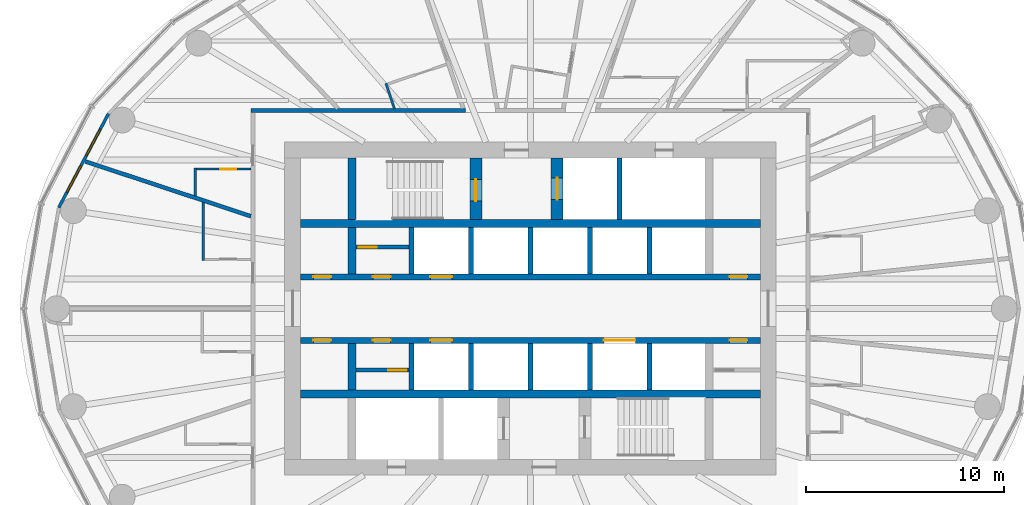
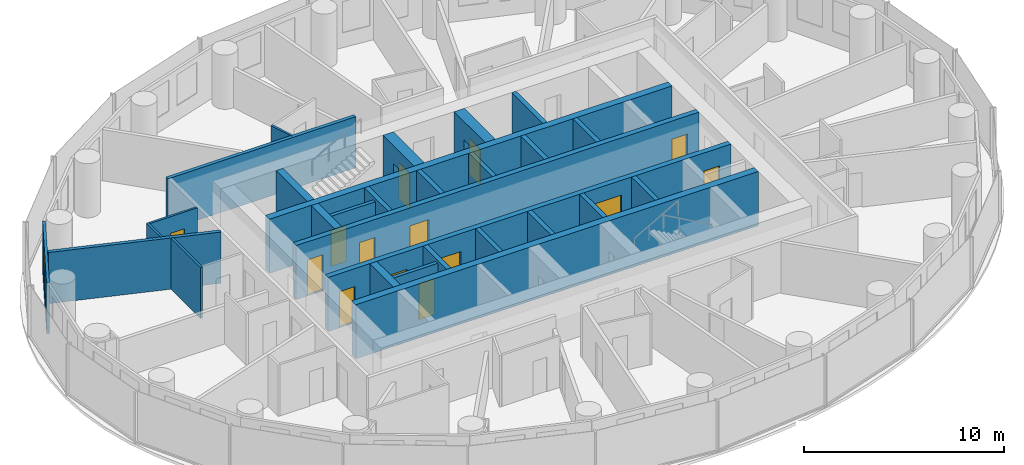
# One storey, part 8 of 13: 29 walls, 14 doors, 2 windows, 16 openings.
"""IFC4 building model written with IfcOpenShell, lengths in metres."""

from ifc_helpers import new_model, si_unit, direction, frame, frame_2d, origin, place, context, subcontext, project, spatial, rectangle, extrude, material, layer, layer_set, type_object, element, fill, save


model = new_model("IFC4")

# Units and contexts
model_context = context("Model", 3, precision=1e-05, world=origin(), true_north=direction((0.0, 1.0)))
body_context = subcontext(model_context, "Body", "Model", "MODEL_VIEW")
ifc_project = project(units=[si_unit("LENGTHUNIT", "METRE"), si_unit("AREAUNIT", "SQUARE_METRE"), si_unit("VOLUMEUNIT", "CUBIC_METRE"), si_unit("PLANEANGLEUNIT", "RADIAN"), si_unit("MASSUNIT", "GRAM", prefix="KILO")], contexts=[model_context])

# Site, building, storey
site_placement = place(None, origin())
site = spatial("IfcSite", under=ifc_project, at=site_placement, CompositionType="ELEMENT")
building_placement = place(site_placement, origin())
building = spatial("IfcBuilding", under=site, at=building_placement, Name="Hankou Lantern Tower", CompositionType="ELEMENT")
storey_placement = place(building_placement, frame((0.0, 0.0, 118.800048828125)))
storey = spatial("IfcBuildingStorey", under=building, at=storey_placement, Name="L30", CompositionType="ELEMENT", Elevation=118.800048828125)

# Walls
ifc_material_1 = material(Name="Concrete C60", Category="concrete")
ifc_layer_1 = layer(ifc_material_1, 0.39990234375)
ifc_layer_set_1 = layer_set([ifc_layer_1], Name="Concrete C60")
wall_type_1 = type_object("IfcWallType", Name="CW4 CORE CROSS WALL 400", PredefinedType="SHEAR", material=ifc_layer_set_1)
for number, where, z_axis, x_axis, name in (
    (1, (-11.60009765625, 4.300048828125, 0.0), (0.0, 0.0, 1.0), (1.0, 0.0, 0.0), "Core band wall north L30"),
    (2, (-11.60009765625, -4.300048828125, 0.0), (0.0, 0.0, 1.0), (1.0, 0.0, 0.0), "Core band wall south L30"),
):
    element("IfcWall", number, at=place(storey_placement, frame(where, z_axis=z_axis, x_axis=x_axis)), inside=storey, type_object=wall_type_1, Name=name, PredefinedType="SHEAR", context=body_context, shape_type="SweptSolid", body=[
        extrude(rectangle(XDim=23.2001953125, YDim=0.39990234375, at=frame_2d((11.60009765625, 0.0))), origin(), (0.0, 0.0, 1.0), 3.300048828125),
    ])
wall_1_placement = place(storey_placement, frame((-9.0, 4.5, 0.0), z_axis=(0.0, 0.0, 1.0), x_axis=(0.0, 1.0, 0.0)))
element("IfcWall", 3, at=wall_1_placement, inside=storey, type_object=wall_type_1, Name="Core strip wall L30", PredefinedType="SHEAR", context=body_context, shape_type="SweptSolid", body=[
    extrude(rectangle(XDim=3.10009765625, YDim=0.39990234375, at=frame_2d((1.550048828125, 0.0))), origin(), (0.0, 0.0, 1.0), 3.300048828125),
])
for number, where, z_axis, x_axis, name in (
    (4, (-9.0, 1.75, 0.0), (0.0, 0.0, 1.0), (0.0, 1.0, 0.0), "Core strip wall L30"),
    (5, (-9.0, -4.10009765625, 0.0), (0.0, 0.0, 1.0), (0.0, 1.0, 0.0), "Core strip wall L30"),
):
    element("IfcWall", number, at=place(storey_placement, frame(where, z_axis=z_axis, x_axis=x_axis)), inside=storey, type_object=wall_type_1, Name=name, PredefinedType="SHEAR", context=body_context, shape_type="SweptSolid", body=[
        extrude(rectangle(XDim=2.35009765625, YDim=0.39990234375, at=frame_2d((1.175048828125, 0.0))), origin(), (0.0, 0.0, 1.0), 3.300048828125),
    ])

# Wall, openings, doors
ifc_material_2 = material(Name="Concrete C60", Category="concrete")
ifc_layer_2 = layer(ifc_material_2, 0.300048828125)
ifc_layer_set_2 = layer_set([ifc_layer_2], Name="Concrete C60")
wall_type_2 = type_object("IfcWallType", Name="CW5 LIFT LOBBY WALL 300", PredefinedType="SHEAR", material=ifc_layer_set_2)
wall_2_placement = place(storey_placement, frame((-11.60009765625, 1.60009765625, 0.0), z_axis=(0.0, 0.0, 1.0), x_axis=(1.0, 0.0, 0.0)))
wall_2 = element("IfcWall", 6, at=wall_2_placement, inside=storey, type_object=wall_type_2, Name="Lift lobby wall north L30", PredefinedType="SHEAR", context=body_context, shape_type="SweptSolid", body=[
    extrude(rectangle(XDim=23.2001953125, YDim=0.300048828125, at=frame_2d((11.60009765625, 0.0))), origin(), (0.0, 0.0, 1.0), 3.300048828125),
])
opening_1_placement = place(wall_2_placement, frame((6.550048828125, 0.0, 0.0)))
opening_1 = element("IfcOpeningElement", 7, at=opening_1_placement, cuts=wall_2, Name="Opening LD1", PredefinedType="OPENING", context=body_context, shape_type="SweptSolid", body=[
    extrude(rectangle(XDim=1.10009765625, YDim=2.199951171875, at=frame_2d((0.550048828125, 1.10009765625))), frame((0.0, 0.159912109375, 0.0), z_axis=(0.0, -1.0, 0.0), x_axis=(1.0, 0.0, 0.0)), (0.0, 0.0, 1.0), 0.320068359375),
])
opening_2_placement = place(wall_2_placement, frame((0.64990234375, 0.0, 0.0)))
opening_2 = element("IfcOpeningElement", 8, at=opening_2_placement, cuts=wall_2, Name="Opening D30", PredefinedType="OPENING", context=body_context, shape_type="SweptSolid", body=[
    extrude(rectangle(XDim=0.89990234375, YDim=2.199951171875, at=frame_2d((0.449951171875, 1.10009765625))), frame((0.0, 0.159912109375, 0.0), z_axis=(0.0, -1.0, 0.0), x_axis=(1.0, 0.0, 0.0)), (0.0, 0.0, 1.0), 0.320068359375),
])
opening_3_placement = place(wall_2_placement, frame((3.64990234375, 0.0, 0.0)))
opening_3 = element("IfcOpeningElement", 9, at=opening_3_placement, cuts=wall_2, Name="Opening D30", PredefinedType="OPENING", context=body_context, shape_type="SweptSolid", body=[
    extrude(rectangle(XDim=0.89990234375, YDim=2.199951171875, at=frame_2d((0.449951171875, 1.10009765625))), frame((0.0, 0.159912109375, 0.0), z_axis=(0.0, -1.0, 0.0), x_axis=(1.0, 0.0, 0.0)), (0.0, 0.0, 1.0), 0.320068359375),
])
opening_4_placement = place(wall_2_placement, frame((21.64990234375, 0.0, 0.0)))
opening_4 = element("IfcOpeningElement", 10, at=opening_4_placement, cuts=wall_2, Name="Opening D30", PredefinedType="OPENING", context=body_context, shape_type="SweptSolid", body=[
    extrude(rectangle(XDim=0.89990234375, YDim=2.199951171875, at=frame_2d((0.449951171875, 1.10009765625))), frame((0.0, 0.159912109375, 0.0), z_axis=(0.0, -1.0, 0.0), x_axis=(1.0, 0.0, 0.0)), (0.0, 0.0, 1.0), 0.320068359375),
])
ifc_material_3 = material(Name="Steel door leaf", Category="steel")
door_type_1 = type_object("IfcDoorType", Name="D30 CORE ROOM DOOR 900X2200", OperationType="SINGLE_SWING_LEFT", PredefinedType="DOOR", material=ifc_material_3)
door_1_placement = place(opening_2_placement, origin())
door_1 = element("IfcDoor", 11, at=door_1_placement, inside=storey, type_object=door_type_1, Name="Engineering store door", OperationType="SINGLE_SWING_LEFT", OverallHeight=2.199951171875, OverallWidth=0.89990234375, PredefinedType="DOOR", context=body_context, shape_type="SweptSolid", body=[
    extrude(rectangle(XDim=0.89990234375, YDim=2.199951171875, at=frame_2d((0.449951171875, 1.10009765625))), frame((0.0, 0.02490234375, 0.0), z_axis=(0.0, -1.0, 0.0), x_axis=(1.0, 0.0, 0.0)), (0.0, 0.0, 1.0), 0.050048828125),
])
fill(opening_2, door_1)
door_2_placement = place(opening_3_placement, origin())
door_2 = element("IfcDoor", 12, at=door_2_placement, inside=storey, type_object=door_type_1, Name="Cleaner's store door", OperationType="SINGLE_SWING_LEFT", OverallHeight=2.199951171875, OverallWidth=0.89990234375, PredefinedType="DOOR", context=body_context, shape_type="SweptSolid", body=[
    extrude(rectangle(XDim=0.89990234375, YDim=2.199951171875, at=frame_2d((0.449951171875, 1.10009765625))), frame((0.0, 0.02490234375, 0.0), z_axis=(0.0, -1.0, 0.0), x_axis=(1.0, 0.0, 0.0)), (0.0, 0.0, 1.0), 0.050048828125),
])
fill(opening_3, door_2)
door_3_placement = place(opening_4_placement, origin())
door_3 = element("IfcDoor", 13, at=door_3_placement, inside=storey, type_object=door_type_1, Name="Housekeeping and linen store door", OperationType="SINGLE_SWING_RIGHT", OverallHeight=2.199951171875, OverallWidth=0.89990234375, PredefinedType="DOOR", context=body_context, shape_type="SweptSolid", body=[
    extrude(rectangle(XDim=0.89990234375, YDim=2.199951171875, at=frame_2d((0.449951171875, 1.10009765625))), frame((0.0, 0.02490234375, 0.0), z_axis=(0.0, -1.0, 0.0), x_axis=(1.0, 0.0, 0.0)), (0.0, 0.0, 1.0), 0.050048828125),
])
fill(opening_4, door_3)
ifc_material_4 = material(Name="Steel door leaf", Category="steel")
door_type_2 = type_object("IfcDoorType", Name="LD1 LIFT LANDING DOOR 1100X2200", OperationType="DOUBLE_DOOR_SLIDING", PredefinedType="DOOR", material=ifc_material_4)
door_4_placement = place(opening_1_placement, origin())
door_4 = element("IfcDoor", 14, at=door_4_placement, inside=storey, type_object=door_type_2, Name="Lift M1 landing door", OperationType="DOUBLE_DOOR_SLIDING", OverallHeight=2.199951171875, OverallWidth=1.10009765625, PredefinedType="DOOR", context=body_context, shape_type="SweptSolid", body=[
    extrude(rectangle(XDim=1.10009765625, YDim=2.199951171875, at=frame_2d((0.550048828125, 1.10009765625))), frame((0.0, 0.02490234375, 0.0), z_axis=(0.0, -1.0, 0.0), x_axis=(1.0, 0.0, 0.0)), (0.0, 0.0, 1.0), 0.050048828125),
])
fill(opening_1, door_4)

wall_3_placement = place(storey_placement, frame((-11.60009765625, -1.60009765625, 0.0), z_axis=(0.0, 0.0, 1.0), x_axis=(1.0, 0.0, 0.0)))
wall_3 = element("IfcWall", 15, at=wall_3_placement, inside=storey, type_object=wall_type_2, Name="Lift lobby wall south L30", PredefinedType="SHEAR", context=body_context, shape_type="SweptSolid", body=[
    extrude(rectangle(XDim=23.2001953125, YDim=0.300048828125, at=frame_2d((11.60009765625, 0.0))), origin(), (0.0, 0.0, 1.0), 3.300048828125),
])
opening_5_placement = place(wall_3_placement, frame((6.550048828125, 0.0, 0.0)))
opening_5 = element("IfcOpeningElement", 16, at=opening_5_placement, cuts=wall_3, Name="Opening LD1", PredefinedType="OPENING", context=body_context, shape_type="SweptSolid", body=[
    extrude(rectangle(XDim=1.10009765625, YDim=2.199951171875, at=frame_2d((0.550048828125, 1.10009765625))), frame((0.0, 0.159912109375, 0.0), z_axis=(0.0, -1.0, 0.0), x_axis=(1.0, 0.0, 0.0)), (0.0, 0.0, 1.0), 0.320068359375),
])
opening_6_placement = place(wall_3_placement, frame((15.300048828125, 0.0, 0.0)))
opening_6 = element("IfcOpeningElement", 17, at=opening_6_placement, cuts=wall_3, Name="Opening LD4", PredefinedType="OPENING", context=body_context, shape_type="SweptSolid", body=[
    extrude(rectangle(XDim=1.60009765625, YDim=2.39990234375, at=frame_2d((0.800048828125, 1.199951171875))), frame((0.0, 0.159912109375, 0.0), z_axis=(0.0, -1.0, 0.0), x_axis=(1.0, 0.0, 0.0)), (0.0, 0.0, 1.0), 0.320068359375),
])
opening_7_placement = place(wall_3_placement, frame((0.64990234375, 0.0, 0.0)))
opening_7 = element("IfcOpeningElement", 18, at=opening_7_placement, cuts=wall_3, Name="Opening D30", PredefinedType="OPENING", context=body_context, shape_type="SweptSolid", body=[
    extrude(rectangle(XDim=0.89990234375, YDim=2.199951171875, at=frame_2d((0.449951171875, 1.10009765625))), frame((0.0, 0.159912109375, 0.0), z_axis=(0.0, -1.0, 0.0), x_axis=(1.0, 0.0, 0.0)), (0.0, 0.0, 1.0), 0.320068359375),
])
opening_8_placement = place(wall_3_placement, frame((3.64990234375, 0.0, 0.0)))
opening_8 = element("IfcOpeningElement", 19, at=opening_8_placement, cuts=wall_3, Name="Opening D30", PredefinedType="OPENING", context=body_context, shape_type="SweptSolid", body=[
    extrude(rectangle(XDim=0.89990234375, YDim=2.199951171875, at=frame_2d((0.449951171875, 1.10009765625))), frame((0.0, 0.159912109375, 0.0), z_axis=(0.0, -1.0, 0.0), x_axis=(1.0, 0.0, 0.0)), (0.0, 0.0, 1.0), 0.320068359375),
])
opening_9_placement = place(wall_3_placement, frame((21.64990234375, 0.0, 0.0)))
opening_9 = element("IfcOpeningElement", 20, at=opening_9_placement, cuts=wall_3, Name="Opening D30", PredefinedType="OPENING", context=body_context, shape_type="SweptSolid", body=[
    extrude(rectangle(XDim=0.89990234375, YDim=2.199951171875, at=frame_2d((0.449951171875, 1.10009765625))), frame((0.0, 0.159912109375, 0.0), z_axis=(0.0, -1.0, 0.0), x_axis=(1.0, 0.0, 0.0)), (0.0, 0.0, 1.0), 0.320068359375),
])
door_5_placement = place(opening_7_placement, origin())
door_5 = element("IfcDoor", 21, at=door_5_placement, inside=storey, type_object=door_type_1, Name="Guest pantry and ice room door", OperationType="SINGLE_SWING_LEFT", OverallHeight=2.199951171875, OverallWidth=0.89990234375, PredefinedType="DOOR", context=body_context, shape_type="SweptSolid", body=[
    extrude(rectangle(XDim=0.89990234375, YDim=2.199951171875, at=frame_2d((0.449951171875, 1.10009765625))), frame((0.0, 0.02490234375, 0.0), z_axis=(0.0, -1.0, 0.0), x_axis=(1.0, 0.0, 0.0)), (0.0, 0.0, 1.0), 0.050048828125),
])
fill(opening_7, door_5)
door_6_placement = place(opening_8_placement, origin())
door_6 = element("IfcDoor", 22, at=door_6_placement, inside=storey, type_object=door_type_1, Name="Vending room door", OperationType="SINGLE_SWING_LEFT", OverallHeight=2.199951171875, OverallWidth=0.89990234375, PredefinedType="DOOR", context=body_context, shape_type="SweptSolid", body=[
    extrude(rectangle(XDim=0.89990234375, YDim=2.199951171875, at=frame_2d((0.449951171875, 1.10009765625))), frame((0.0, 0.02490234375, 0.0), z_axis=(0.0, -1.0, 0.0), x_axis=(1.0, 0.0, 0.0)), (0.0, 0.0, 1.0), 0.050048828125),
])
fill(opening_8, door_6)
door_7_placement = place(opening_9_placement, origin())
door_7 = element("IfcDoor", 23, at=door_7_placement, inside=storey, type_object=door_type_1, Name="Room service pantry door", OperationType="SINGLE_SWING_RIGHT", OverallHeight=2.199951171875, OverallWidth=0.89990234375, PredefinedType="DOOR", context=body_context, shape_type="SweptSolid", body=[
    extrude(rectangle(XDim=0.89990234375, YDim=2.199951171875, at=frame_2d((0.449951171875, 1.10009765625))), frame((0.0, 0.02490234375, 0.0), z_axis=(0.0, -1.0, 0.0), x_axis=(1.0, 0.0, 0.0)), (0.0, 0.0, 1.0), 0.050048828125),
])
fill(opening_9, door_7)
door_8_placement = place(opening_5_placement, origin())
door_8 = element("IfcDoor", 24, at=door_8_placement, inside=storey, type_object=door_type_2, Name="Lift M2 landing door", OperationType="DOUBLE_DOOR_SLIDING", OverallHeight=2.199951171875, OverallWidth=1.10009765625, PredefinedType="DOOR", context=body_context, shape_type="SweptSolid", body=[
    extrude(rectangle(XDim=1.10009765625, YDim=2.199951171875, at=frame_2d((0.550048828125, 1.10009765625))), frame((0.0, 0.02490234375, 0.0), z_axis=(0.0, -1.0, 0.0), x_axis=(1.0, 0.0, 0.0)), (0.0, 0.0, 1.0), 0.050048828125),
])
fill(opening_5, door_8)
ifc_material_5 = material(Name="Steel door leaf", Category="steel")
door_type_3 = type_object("IfcDoorType", Name="LD4 SERVICE LIFT LANDING DOOR 1600X2400", OperationType="DOUBLE_DOOR_SLIDING", PredefinedType="DOOR", material=ifc_material_5)
door_9_placement = place(opening_6_placement, origin())
door_9 = element("IfcDoor", 25, at=door_9_placement, inside=storey, type_object=door_type_3, Name="Lift SV1 landing door", OperationType="DOUBLE_DOOR_SLIDING", OverallHeight=2.39990234375, OverallWidth=1.60009765625, PredefinedType="DOOR", context=body_context, shape_type="SweptSolid", body=[
    extrude(rectangle(XDim=1.60009765625, YDim=2.39990234375, at=frame_2d((0.800048828125, 1.199951171875))), frame((0.0, 0.02490234375, 0.0), z_axis=(0.0, -1.0, 0.0), x_axis=(1.0, 0.0, 0.0)), (0.0, 0.0, 1.0), 0.050048828125),
])
fill(opening_6, door_9)

# Wall, opening, door
ifc_material_6 = material(Name="Concrete C60", Category="concrete")
ifc_layer_3 = layer(ifc_material_6, 0.60009765625)
ifc_layer_set_3 = layer_set([ifc_layer_3], Name="Concrete C60")
wall_type_3 = type_object("IfcWallType", Name="CW6 STAIR AND SHAFT WALL 600", PredefinedType="SHEAR", material=ifc_layer_set_3)
wall_4_placement = place(storey_placement, frame((-2.75, 4.5, 0.0), z_axis=(0.0, 0.0, 1.0), x_axis=(0.0, 1.0, 0.0)))
wall_4 = element("IfcWall", 26, at=wall_4_placement, inside=storey, type_object=wall_type_3, Name="Stair wall L30", PredefinedType="SHEAR", context=body_context, shape_type="SweptSolid", body=[
    extrude(rectangle(XDim=3.10009765625, YDim=0.60009765625, at=frame_2d((1.550048828125, 0.0))), origin(), (0.0, 0.0, 1.0), 3.300048828125),
])
opening_10_placement = place(wall_4_placement, frame((0.925048828125, 0.0, 0.0)))
opening_10 = element("IfcOpeningElement", 27, at=opening_10_placement, cuts=wall_4, Name="Opening D4", PredefinedType="OPENING", context=body_context, shape_type="SweptSolid", body=[
    extrude(rectangle(XDim=1.10009765625, YDim=2.199951171875, at=frame_2d((0.550048828125, 1.10009765625))), frame((0.0, 0.31005859375, 0.0), z_axis=(0.0, -1.0, 0.0), x_axis=(1.0, 0.0, 0.0)), (0.0, 0.0, 1.0), 0.6201171875),
])
ifc_material_7 = material(Name="Steel door leaf", Category="steel")
door_type_4 = type_object("IfcDoorType", Name="D4 STAIR DOOR 1100X2200", OperationType="SINGLE_SWING_LEFT", PredefinedType="DOOR", material=ifc_material_7)
door_10_placement = place(opening_10_placement, origin())
door_10 = element("IfcDoor", 28, at=door_10_placement, inside=storey, type_object=door_type_4, Name="Stair A door", OperationType="SINGLE_SWING_LEFT", OverallHeight=2.199951171875, OverallWidth=1.10009765625, PredefinedType="DOOR", context=body_context, shape_type="SweptSolid", body=[
    extrude(rectangle(XDim=1.10009765625, YDim=2.199951171875, at=frame_2d((0.550048828125, 1.10009765625))), frame((0.0, 0.02490234375, 0.0), z_axis=(0.0, -1.0, 0.0), x_axis=(1.0, 0.0, 0.0)), (0.0, 0.0, 1.0), 0.050048828125),
])
fill(opening_10, door_10)

wall_5_placement = place(storey_placement, frame((1.35009765625, 4.5, 0.0), z_axis=(0.0, 0.0, 1.0), x_axis=(0.0, 1.0, 0.0)))
wall_5 = element("IfcWall", 29, at=wall_5_placement, inside=storey, type_object=wall_type_3, Name="Firefighting lift shaft wall L30", PredefinedType="SHEAR", context=body_context, shape_type="SweptSolid", body=[
    extrude(rectangle(XDim=3.10009765625, YDim=0.60009765625, at=frame_2d((1.550048828125, 0.0))), origin(), (0.0, 0.0, 1.0), 3.300048828125),
])
opening_11_placement = place(wall_5_placement, frame((1.0, 0.0, 0.0)))
opening_11 = element("IfcOpeningElement", 30, at=opening_11_placement, cuts=wall_5, Name="Opening LD2", PredefinedType="OPENING", context=body_context, shape_type="SweptSolid", body=[
    extrude(rectangle(XDim=1.10009765625, YDim=2.199951171875, at=frame_2d((0.550048828125, 1.10009765625))), frame((0.0, 0.31005859375, 0.0), z_axis=(0.0, -1.0, 0.0), x_axis=(1.0, 0.0, 0.0)), (0.0, 0.0, 1.0), 0.6201171875),
])
ifc_material_8 = material(Name="Steel door leaf", Category="steel")
door_type_5 = type_object("IfcDoorType", Name="LD2 FIREFIGHTING LIFT LANDING DOOR 1100X2200", OperationType="DOUBLE_DOOR_SLIDING", PredefinedType="DOOR", material=ifc_material_8)
door_11_placement = place(opening_11_placement, origin())
door_11 = element("IfcDoor", 31, at=door_11_placement, inside=storey, type_object=door_type_5, Name="Firefighting lift FL1 landing door", OperationType="DOUBLE_DOOR_SLIDING", OverallHeight=2.199951171875, OverallWidth=1.10009765625, PredefinedType="DOOR", context=body_context, shape_type="SweptSolid", body=[
    extrude(rectangle(XDim=1.10009765625, YDim=2.199951171875, at=frame_2d((0.550048828125, 1.10009765625))), frame((0.0, 0.02490234375, 0.0), z_axis=(0.0, -1.0, 0.0), x_axis=(1.0, 0.0, 0.0)), (0.0, 0.0, 1.0), 0.050048828125),
])
fill(opening_11, door_11)

# Wall, openings, windows
ifc_material_9 = material(Name="Aluminium spandrel panel on steel studs", Category="steel")
ifc_layer_4 = layer(ifc_material_9, 0.14990234375)
ifc_layer_set_4 = layer_set([ifc_layer_4], Name="Aluminium spandrel panel on steel studs")
wall_type_4 = type_object("IfcWallType", Name="EW1 INNER SKIN WALL 150", PredefinedType="ELEMENTEDWALL", material=ifc_layer_set_4)
wall_6_placement = place(storey_placement, frame((-21.287353515625, 9.83203125, 0.0), z_axis=(0.0, 0.0, 1.0), x_axis=(-0.467814388454, -0.883826735257, 0.0)))
wall_6 = element("IfcWall", 32, at=wall_6_placement, inside=storey, type_object=wall_type_4, Name="Inner skin R11-R12 L30", PredefinedType="ELEMENTEDWALL", context=body_context, shape_type="SweptSolid", body=[
    extrude(rectangle(XDim=5.35400390625, YDim=0.14990234375, at=frame_2d((2.677001953125, 0.0))), origin(), (0.0, 0.0, 1.0), 3.119873046875),
])
opening_12_placement = place(wall_6_placement, frame((0.876953125, 0.0, 0.89990234375)))
opening_12 = element("IfcOpeningElement", 33, at=opening_12_placement, cuts=wall_6, Name="Opening W2", PredefinedType="OPENING", context=body_context, shape_type="SweptSolid", body=[
    extrude(rectangle(XDim=1.5, YDim=1.89990234375, at=frame_2d((0.75, 0.949951171875))), frame((0.0, 0.0849609375, 0.0), z_axis=(0.0, -1.0, 0.0), x_axis=(1.0, 0.0, 0.0)), (0.0, 0.0, 1.0), 0.169921875),
])
opening_13_placement = place(wall_6_placement, frame((2.97705078125, 0.0, 0.89990234375)))
opening_13 = element("IfcOpeningElement", 34, at=opening_13_placement, cuts=wall_6, Name="Opening W2", PredefinedType="OPENING", context=body_context, shape_type="SweptSolid", body=[
    extrude(rectangle(XDim=1.5, YDim=1.89990234375, at=frame_2d((0.75, 0.949951171875))), frame((0.0, 0.0849609375, 0.0), z_axis=(0.0, -1.0, 0.0), x_axis=(1.0, 0.0, 0.0)), (0.0, 0.0, 1.0), 0.169921875),
])
ifc_material_10 = material(Name="Aluminium framed double glazed window", Category="aluminium")
window_type = type_object("IfcWindowType", Name="W2 GUEST ROOM WINDOW 1500X1900", PartitioningType="DOUBLE_PANEL_VERTICAL", PredefinedType="WINDOW", material=ifc_material_10)
window_1_placement = place(opening_12_placement, origin())
window_1 = element("IfcWindow", 35, at=window_1_placement, inside=storey, type_object=window_type, Name="Window R11.1 L30", OverallHeight=1.89990234375, OverallWidth=1.5, PartitioningType="SINGLE_PANEL", PredefinedType="WINDOW", context=body_context, shape_type="SweptSolid", body=[
    extrude(rectangle(XDim=1.5, YDim=1.89990234375, at=frame_2d((0.75, 0.949951171875))), frame((0.0, 0.030029296875, 0.0), z_axis=(0.0, -1.0, 0.0), x_axis=(1.0, 0.0, 0.0)), (0.0, 0.0, 1.0), 0.06005859375),
])
fill(opening_12, window_1)
window_2_placement = place(opening_13_placement, origin())
window_2 = element("IfcWindow", 36, at=window_2_placement, inside=storey, type_object=window_type, Name="Window R11.2 L30", OverallHeight=1.89990234375, OverallWidth=1.5, PartitioningType="SINGLE_PANEL", PredefinedType="WINDOW", context=body_context, shape_type="SweptSolid", body=[
    extrude(rectangle(XDim=1.5, YDim=1.89990234375, at=frame_2d((0.75, 0.949951171875))), frame((0.0, 0.030029296875, 0.0), z_axis=(0.0, -1.0, 0.0), x_axis=(1.0, 0.0, 0.0)), (0.0, 0.0, 1.0), 0.06005859375),
])
fill(opening_13, window_2)

# Walls
ifc_material_11 = material(Name="Masonry lightweight concrete block", Category="masonry")
ifc_layer_5 = layer(ifc_material_11, 0.199951171875)
ifc_layer_set_5 = layer_set([ifc_layer_5], Name="Masonry lightweight concrete block")
wall_type_5 = type_object("IfcWallType", Name="IW1 GUEST ROOM PARTY WALL 200", PredefinedType="PARTITIONING", material=ifc_layer_set_5)
wall_7_placement = place(storey_placement, frame((-14.10009765625, 4.662353515625, 0.0), z_axis=(0.0, 0.0, 1.0), x_axis=(-0.949446466373, 0.313928984789, 0.0)))
element("IfcWall", 37, at=wall_7_placement, inside=storey, type_object=wall_type_5, Name="Party wall R11-R12", PredefinedType="PARTITIONING", context=body_context, shape_type="SweptSolid", body=[
    extrude(rectangle(XDim=8.79736328125, YDim=0.199951171875, at=frame_2d((4.398681640625, 0.0))), origin(), (0.0, 0.0, 1.0), 3.119873046875),
])
ifc_material_12 = material(Name="Masonry lightweight concrete block", Category="masonry")
ifc_layer_6 = layer(ifc_material_12, 0.199951171875)
ifc_layer_set_6 = layer_set([ifc_layer_6], Name="Masonry lightweight concrete block")
wall_type_6 = type_object("IfcWallType", Name="IW2 CORRIDOR WALL 200", PredefinedType="PARTITIONING", material=ifc_layer_set_6)
wall_8_placement = place(storey_placement, frame((-14.10009765625, 10.0, 0.0), z_axis=(0.0, 0.0, 1.0), x_axis=(1.0, 0.0, 0.0)))
element("IfcWall", 38, at=wall_8_placement, inside=storey, type_object=wall_type_6, Name="Corridor wall north", PredefinedType="PARTITIONING", context=body_context, shape_type="SweptSolid", body=[
    extrude(rectangle(XDim=10.817138671875, YDim=0.199951171875, at=frame_2d((5.40869140625, 0.0))), origin(), (0.0, 0.0, 1.0), 3.119873046875),
])
ifc_material_13 = material(Name="Masonry lightweight concrete block", Category="masonry")
ifc_layer_7 = layer(ifc_material_13, 0.1201171875)
ifc_layer_set_7 = layer_set([ifc_layer_7], Name="Masonry lightweight concrete block")
wall_type_7 = type_object("IfcWallType", Name="IW3 BATHROOM WALL 120", PredefinedType="PARTITIONING", material=ifc_layer_set_7)
wall_9_placement = place(storey_placement, frame((-6.852294921875, 10.068359375, 0.0), z_axis=(0.0, 0.0, 1.0), x_axis=(-0.317619240343, 0.948218338867, 0.0)))
element("IfcWall", 39, at=wall_9_placement, inside=storey, type_object=wall_type_7, Name="Box wall 3004 1", PredefinedType="PARTITIONING", context=body_context, shape_type="SweptSolid", body=[
    extrude(rectangle(XDim=1.3681640625, YDim=0.1201171875, at=frame_2d((0.68408203125, 0.0))), origin(), (0.0, 0.0, 1.0), 3.119873046875),
])
wall_10_placement = place(storey_placement, frame((-16.89990234375, 5.688232421875, 0.0), z_axis=(0.0, 0.0, 1.0), x_axis=(0.0, 1.0, 0.0)))
element("IfcWall", 40, at=wall_10_placement, inside=storey, type_object=wall_type_7, Name="Box wall 3005 1", PredefinedType="PARTITIONING", context=body_context, shape_type="SweptSolid", body=[
    extrude(rectangle(XDim=1.4140625, YDim=0.1201171875, at=frame_2d((0.70703125, 0.0))), origin(), (0.0, 0.0, 1.0), 3.119873046875),
])

# Wall, opening, door
wall_11_placement = place(storey_placement, frame((-14.10009765625, 7.042236328125, 0.0), z_axis=(0.0, 0.0, 1.0), x_axis=(-1.0, 0.0, 0.0)))
wall_11 = element("IfcWall", 41, at=wall_11_placement, inside=storey, type_object=wall_type_7, Name="Box wall 3005 1", PredefinedType="PARTITIONING", context=body_context, shape_type="SweptSolid", body=[
    extrude(rectangle(XDim=2.739990234375, YDim=0.1201171875, at=frame_2d((1.3701171875, 0.0))), origin(), (0.0, 0.0, 1.0), 3.119873046875),
])
opening_14_placement = place(wall_11_placement, frame((0.75, 0.0, 0.0)))
opening_14 = element("IfcOpeningElement", 42, at=opening_14_placement, cuts=wall_11, Name="Opening D3", PredefinedType="OPENING", context=body_context, shape_type="SweptSolid", body=[
    extrude(rectangle(XDim=0.800048828125, YDim=2.10009765625, at=frame_2d((0.39990234375, 1.050048828125))), frame((0.0, 0.070068359375, 0.0), z_axis=(0.0, -1.0, 0.0), x_axis=(1.0, 0.0, 0.0)), (0.0, 0.0, 1.0), 0.14013671875),
])
ifc_material_14 = material(Name="Timber door leaf", Category="wood")
door_type_6 = type_object("IfcDoorType", Name="D3 BATHROOM DOOR 800X2100", OperationType="SINGLE_SWING_LEFT", PredefinedType="DOOR", material=ifc_material_14)
door_12_placement = place(opening_14_placement, origin())
door_12 = element("IfcDoor", 43, at=door_12_placement, inside=storey, type_object=door_type_6, Name="Junior suite 3005 bathroom door", OperationType="SINGLE_SWING_LEFT", OverallHeight=2.10009765625, OverallWidth=0.800048828125, PredefinedType="DOOR", context=body_context, shape_type="SweptSolid", body=[
    extrude(rectangle(XDim=0.800048828125, YDim=2.10009765625, at=frame_2d((0.39990234375, 1.050048828125))), frame((0.0, 0.02490234375, 0.0), z_axis=(0.0, -1.0, 0.0), x_axis=(1.0, 0.0, 0.0)), (0.0, 0.0, 1.0), 0.050048828125),
])
fill(opening_14, door_12)

# Wall
wall_12_placement = place(storey_placement, frame((-16.5, 5.35595703125, 0.0), z_axis=(0.0, 0.0, 1.0), x_axis=(0.0, -1.0, 0.0)))
element("IfcWall", 44, at=wall_12_placement, inside=storey, type_object=wall_type_7, Name="Box wall 3006 1", PredefinedType="PARTITIONING", context=body_context, shape_type="SweptSolid", body=[
    extrude(rectangle(XDim=2.93359375, YDim=0.1201171875, at=frame_2d((1.466796875, 0.0))), origin(), (0.0, 0.0, 1.0), 3.119873046875),
])

# Wall, opening, door
ifc_material_15 = material(Name="Masonry lightweight concrete block", Category="masonry")
ifc_layer_8 = layer(ifc_material_15, 0.199951171875)
ifc_layer_set_8 = layer_set([ifc_layer_8], Name="Masonry lightweight concrete block")
wall_type_8 = type_object("IfcWallType", Name="IW8 PARTITION 200", PredefinedType="PARTITIONING", material=ifc_layer_set_8)
wall_13_placement = place(storey_placement, frame((-8.800048828125, 3.10009765625, 0.0), z_axis=(0.0, 0.0, 1.0), x_axis=(1.0, 0.0, 0.0)))
wall_13 = element("IfcWall", 45, at=wall_13_placement, inside=storey, type_object=wall_type_8, Name="Partition cleaner's store", PredefinedType="PARTITIONING", context=body_context, shape_type="SweptSolid", body=[
    extrude(rectangle(XDim=2.675048828125, YDim=0.199951171875, at=frame_2d((1.33740234375, 0.0))), origin(), (0.0, 0.0, 1.0), 3.119873046875),
])
opening_15_placement = place(wall_13_placement, frame((0.14990234375, 0.0, 0.0)))
opening_15 = element("IfcOpeningElement", 46, at=opening_15_placement, cuts=wall_13, Name="Opening D12", PredefinedType="OPENING", context=body_context, shape_type="SweptSolid", body=[
    extrude(rectangle(XDim=0.89990234375, YDim=2.199951171875, at=frame_2d((0.449951171875, 1.10009765625))), frame((0.0, 0.10986328125, 0.0), z_axis=(0.0, -1.0, 0.0), x_axis=(1.0, 0.0, 0.0)), (0.0, 0.0, 1.0), 0.219970703125),
])
ifc_material_16 = material(Name="Steel door leaf", Category="steel")
door_type_7 = type_object("IfcDoorType", Name="D12 STORE DOOR 900X2200", OperationType="SINGLE_SWING_LEFT", PredefinedType="DOOR", material=ifc_material_16)
door_13_placement = place(opening_15_placement, origin())
door_13 = element("IfcDoor", 47, at=door_13_placement, inside=storey, type_object=door_type_7, Name="Cleaning materials cupboard door", OperationType="SINGLE_SWING_LEFT", OverallHeight=2.199951171875, OverallWidth=0.89990234375, PredefinedType="DOOR", context=body_context, shape_type="SweptSolid", body=[
    extrude(rectangle(XDim=0.89990234375, YDim=2.199951171875, at=frame_2d((0.449951171875, 1.10009765625))), frame((0.0, 0.02490234375, 0.0), z_axis=(0.0, -1.0, 0.0), x_axis=(1.0, 0.0, 0.0)), (0.0, 0.0, 1.0), 0.050048828125),
])
fill(opening_15, door_13)

wall_14_placement = place(storey_placement, frame((-8.800048828125, -3.10009765625, 0.0), z_axis=(0.0, 0.0, 1.0), x_axis=(1.0, 0.0, 0.0)))
wall_14 = element("IfcWall", 48, at=wall_14_placement, inside=storey, type_object=wall_type_8, Name="Partition vending room", PredefinedType="PARTITIONING", context=body_context, shape_type="SweptSolid", body=[
    extrude(rectangle(XDim=2.675048828125, YDim=0.199951171875, at=frame_2d((1.33740234375, 0.0))), origin(), (0.0, 0.0, 1.0), 3.119873046875),
])
opening_16_placement = place(wall_14_placement, frame((1.625, 0.0, 0.0)))
opening_16 = element("IfcOpeningElement", 49, at=opening_16_placement, cuts=wall_14, Name="Opening D12", PredefinedType="OPENING", context=body_context, shape_type="SweptSolid", body=[
    extrude(rectangle(XDim=0.89990234375, YDim=2.199951171875, at=frame_2d((0.449951171875, 1.10009765625))), frame((0.0, 0.10986328125, 0.0), z_axis=(0.0, -1.0, 0.0), x_axis=(1.0, 0.0, 0.0)), (0.0, 0.0, 1.0), 0.219970703125),
])
door_14_placement = place(opening_16_placement, origin())
door_14 = element("IfcDoor", 50, at=door_14_placement, inside=storey, type_object=door_type_7, Name="Vending stock cupboard door", OperationType="SINGLE_SWING_RIGHT", OverallHeight=2.199951171875, OverallWidth=0.89990234375, PredefinedType="DOOR", context=body_context, shape_type="SweptSolid", body=[
    extrude(rectangle(XDim=0.89990234375, YDim=2.199951171875, at=frame_2d((0.449951171875, 1.10009765625))), frame((0.0, 0.02490234375, 0.0), z_axis=(0.0, -1.0, 0.0), x_axis=(1.0, 0.0, 0.0)), (0.0, 0.0, 1.0), 0.050048828125),
])
fill(opening_16, door_14)

# Walls
ifc_material_17 = material(Name="Masonry autoclaved aerated concrete block", Category="masonry")
ifc_layer_9 = layer(ifc_material_17, 0.25)
ifc_layer_set_9 = layer_set([ifc_layer_9], Name="Masonry autoclaved aerated concrete block")
wall_type_9 = type_object("IfcWallType", Name="SW1 SHAFT BLOCK WALL 250", PredefinedType="PARTITIONING", material=ifc_layer_set_9)
wall_15_placement = place(storey_placement, frame((4.5, 4.5, 0.0), z_axis=(0.0, 0.0, 1.0), x_axis=(0.0, 1.0, 0.0)))
element("IfcWall", 51, at=wall_15_placement, inside=storey, type_object=wall_type_9, Name="Riser wall L30", PredefinedType="PARTITIONING", context=body_context, shape_type="SweptSolid", body=[
    extrude(rectangle(XDim=3.10009765625, YDim=0.25, at=frame_2d((1.550048828125, 0.0))), origin(), (0.0, 0.0, 1.0), 3.300048828125),
])
for number, where, z_axis, x_axis, name in (
    (52, (-6.0, 1.75, 0.0), (0.0, 0.0, 1.0), (0.0, 1.0, 0.0), "Lift shaft wall L30"),
    (53, (-3.0, 1.75, 0.0), (0.0, 0.0, 1.0), (0.0, 1.0, 0.0), "Lift shaft wall L30"),
    (54, (0.0, 1.75, 0.0), (0.0, 0.0, 1.0), (0.0, 1.0, 0.0), "Lift shaft wall L30"),
    (55, (3.0, 1.75, 0.0), (0.0, 0.0, 1.0), (0.0, 1.0, 0.0), "Lift shaft wall L30"),
    (56, (6.0, 1.75, 0.0), (0.0, 0.0, 1.0), (0.0, 1.0, 0.0), "Lift shaft wall L30"),
    (57, (-6.0, -4.10009765625, 0.0), (0.0, 0.0, 1.0), (0.0, 1.0, 0.0), "Lift shaft wall L30"),
    (58, (-3.0, -4.10009765625, 0.0), (0.0, 0.0, 1.0), (0.0, 1.0, 0.0), "Lift shaft wall L30"),
    (59, (0.0, -4.10009765625, 0.0), (0.0, 0.0, 1.0), (0.0, 1.0, 0.0), "Lift shaft wall L30"),
    (60, (3.0, -4.10009765625, 0.0), (0.0, 0.0, 1.0), (0.0, 1.0, 0.0), "Lift shaft wall L30"),
    (61, (6.0, -4.10009765625, 0.0), (0.0, 0.0, 1.0), (0.0, 1.0, 0.0), "Lift shaft wall L30"),
):
    element("IfcWall", number, at=place(storey_placement, frame(where, z_axis=z_axis, x_axis=x_axis)), inside=storey, type_object=wall_type_9, Name=name, PredefinedType="PARTITIONING", context=body_context, shape_type="SweptSolid", body=[
        extrude(rectangle(XDim=2.35009765625, YDim=0.25, at=frame_2d((1.175048828125, 0.0))), origin(), (0.0, 0.0, 1.0), 3.300048828125),
    ])

save(model, "model.ifc")
